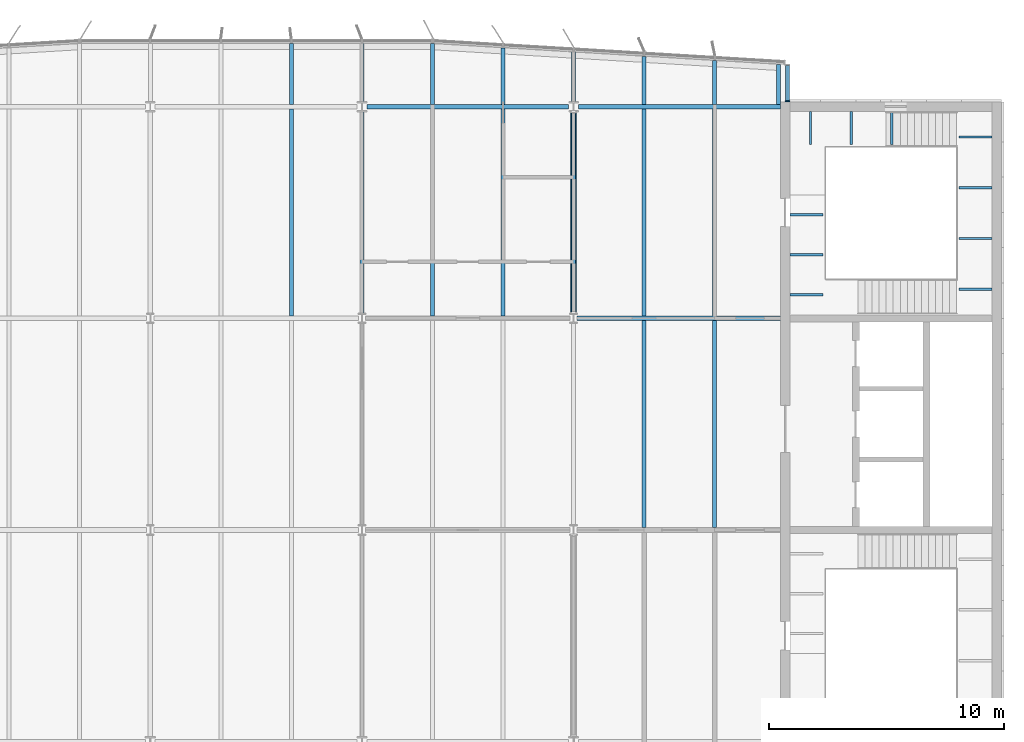
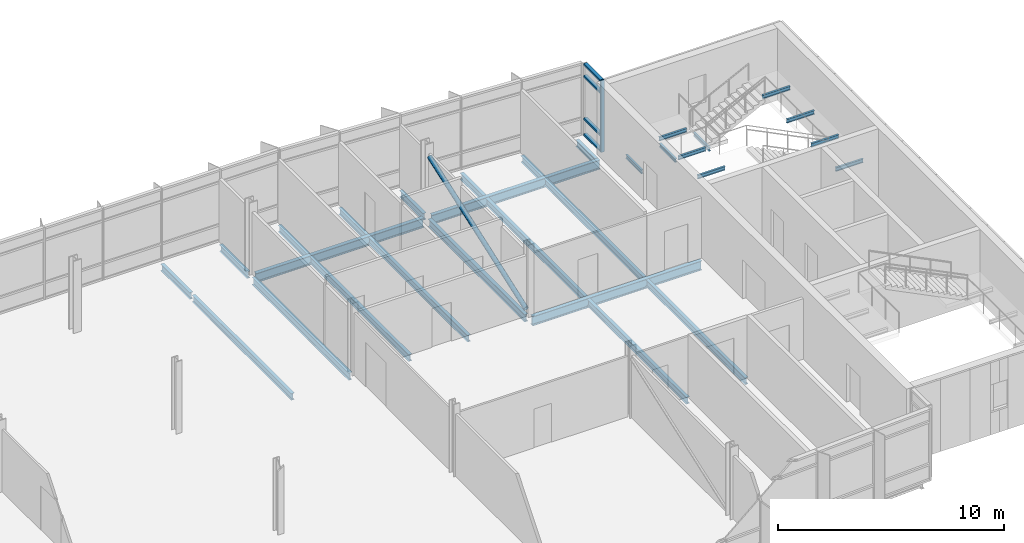
# One storey, part 7 of 18: 30 beams, 6 members, 1 element without a shape of its own.
"""IFC4 building model written with IfcOpenShell, lengths in metres."""

from ifc_helpers import new_model, si_unit, direction, frame, origin, origin_2d, place, context, subcontext, project, spatial, rectangle, hollow_circle, i_section, extrude, material, material_profile, profile_set, type_object, element, aggregate, save


model = new_model("IFC4")

# Units and contexts
model_context = context("Model", 3, precision=1e-05, world=origin(), true_north=direction((0.0, 1.0)))
body_context = subcontext(model_context, "Body", "Model", "MODEL_VIEW")
ifc_project = project(units=[si_unit("LENGTHUNIT", "METRE"), si_unit("AREAUNIT", "SQUARE_METRE"), si_unit("VOLUMEUNIT", "CUBIC_METRE"), si_unit("PLANEANGLEUNIT", "RADIAN"), si_unit("MASSUNIT", "GRAM", prefix="KILO")], contexts=[model_context])

# Site, building, storey
site_placement = place(None, origin())
site = spatial("IfcSite", under=ifc_project, at=site_placement, CompositionType="ELEMENT")
building_placement = place(site_placement, origin())
building = spatial("IfcBuilding", under=site, at=building_placement, Name="Azimuth Sports and Learning Centre", CompositionType="ELEMENT")
storey_placement = place(building_placement, frame((0.0, 0.0, 59.699951171875)))
storey = spatial("IfcBuildingStorey", under=building, at=storey_placement, Name="L13", CompositionType="ELEMENT", Elevation=59.699951171875)

# Beams
ifc_material_1 = material(Name="Steel S355", Category="steel")
ifc_material_profile_1 = material_profile(ifc_material_1, i_section(OverallWidth=0.10009765625, OverallDepth=0.199951171875, WebThickness=0.005615234375, FlangeThickness=0.008544921875, FilletRadius=0.011962890625, at=origin_2d()), Name="IPE 200")
ifc_profile_set_1 = profile_set([ifc_material_profile_1], Name="Steel S355")
beam_type_1 = type_object("IfcBeamType", Name="Beam IPE 200", PredefinedType="BEAM", material=ifc_profile_set_1)
for number, where, z_axis, x_axis, name in (
    (1, (109.0732421875, 116.800048828125, -0.300048828125), (0.0, -1.0, 0.0), (1.0, 0.0, 0.0), "Landing bracket E2 L13 663"),
    (2, (110.800048828125, 116.800048828125, -0.300048828125), (0.0, -1.0, 0.0), (1.0, 0.0, 0.0), "Landing bracket E2 L13 664"),
    (3, (112.526611328125, 116.800048828125, -0.300048828125), (0.0, -1.0, 0.0), (1.0, 0.0, 0.0), "Landing bracket E2 L13 665"),
    (4, (116.800048828125, 109.23876953125, 1.35009765625), (-1.0, 0.0, 0.0), (0.0, -1.0, 0.0), "Landing bracket E2 L13 666"),
    (5, (116.800048828125, 111.396240234375, 1.35009765625), (-1.0, 0.0, 0.0), (0.0, -1.0, 0.0), "Landing bracket E2 L13 667"),
    (6, (116.800048828125, 113.5537109375, 1.35009765625), (-1.0, 0.0, 0.0), (0.0, -1.0, 0.0), "Landing bracket E2 L13 668"),
    (7, (116.800048828125, 115.711181640625, 1.35009765625), (-1.0, 0.0, 0.0), (0.0, -1.0, 0.0), "Landing bracket E2 L13 669"),
    (8, (108.199951171875, 109.00830078125, 3.60009765625), (1.0, 0.0, 0.0), (0.0, 1.0, 0.0), "Landing bracket E2 L13 670"),
    (9, (108.199951171875, 110.705078125, 3.60009765625), (1.0, 0.0, 0.0), (0.0, 1.0, 0.0), "Landing bracket E2 L13 671"),
    (10, (108.199951171875, 112.401611328125, 3.60009765625), (1.0, 0.0, 0.0), (0.0, 1.0, 0.0), "Landing bracket E2 L13 672"),
):
    element("IfcBeam", number, at=place(storey_placement, frame(where, z_axis=z_axis, x_axis=x_axis)), inside=storey, type_object=beam_type_1, Name=name, PredefinedType="BEAM", context=body_context, shape_type="SweptSolid", body=[
        extrude(i_section(OverallWidth=0.10009765625, OverallDepth=0.199951171875, WebThickness=0.005615234375, FlangeThickness=0.008544921875, FilletRadius=0.011962890625, at=origin_2d()), origin(), (0.0, 0.0, 1.0), 1.41015625),
    ])
ifc_material_2 = material(Name="Steel S355", Category="steel")
ifc_material_profile_2 = material_profile(ifc_material_2, i_section(OverallWidth=0.179931640625, OverallDepth=0.39990234375, WebThickness=0.008544921875, FlangeThickness=0.013427734375, FilletRadius=0.02099609375, at=origin_2d()), Name="IPE 400")
ifc_profile_set_2 = profile_set([ifc_material_profile_2], Name="Steel S355")
beam_type_2 = type_object("IfcBeamType", Name="Beam IPE 400", PredefinedType="BEAM", material=ifc_profile_set_2)
for number, where, z_axis, x_axis, name in (
    (11, (90.0, 108.216064453125, -0.329833984375), (0.0, 1.0, 0.0), (-1.0, 0.0, 0.0), "Tower tie"),
    (12, (99.0, 108.216064453125, -0.329833984375), (0.0, 1.0, 0.0), (-1.0, 0.0, 0.0), "Tower tie"),
):
    element("IfcBeam", number, at=place(storey_placement, frame(where, z_axis=z_axis, x_axis=x_axis)), inside=storey, type_object=beam_type_2, Name=name, PredefinedType="BEAM", context=body_context, shape_type="SweptSolid", body=[
        extrude(i_section(OverallWidth=0.179931640625, OverallDepth=0.39990234375, WebThickness=0.008544921875, FlangeThickness=0.013427734375, FilletRadius=0.02099609375, at=origin_2d()), origin(), (0.0, 0.0, 1.0), 8.556396484375),
    ])
ifc_material_3 = material(Name="Steel S355", Category="steel")
ifc_material_profile_3 = material_profile(ifc_material_3, i_section(OverallWidth=0.199951171875, OverallDepth=0.5, WebThickness=0.01025390625, FlangeThickness=0.01611328125, FilletRadius=0.02099609375, at=origin_2d()), Name="IPE 500")
ifc_profile_set_3 = profile_set([ifc_material_profile_3], Name="Steel S355")
beam_type_3 = type_object("IfcBeamType", Name="Beam IPE 500", PredefinedType="BEAM", material=ifc_profile_set_3)
beam_1_placement = place(storey_placement, frame((99.153564453125, 108.0, -0.3798828125), z_axis=(1.0, 0.0, 0.0), x_axis=(0.0, 1.0, 0.0)))
element("IfcBeam", 13, at=beam_1_placement, inside=storey, type_object=beam_type_3, Name="Tower girder L13", PredefinedType="BEAM", context=body_context, shape_type="SweptSolid", body=[
    extrude(i_section(OverallWidth=0.199951171875, OverallDepth=0.5, WebThickness=0.01025390625, FlangeThickness=0.01611328125, FilletRadius=0.02099609375, at=origin_2d()), origin(), (0.0, 0.0, 1.0), 8.646484375),
])
beam_2_placement = place(storey_placement, frame((90.208984375, 117.0, -0.3798828125), z_axis=(1.0, 0.0, 0.0), x_axis=(0.0, 1.0, 0.0)))
element("IfcBeam", 14, at=beam_2_placement, inside=storey, type_object=beam_type_3, Name="Tower girder L13", PredefinedType="BEAM", context=body_context, shape_type="SweptSolid", body=[
    extrude(i_section(OverallWidth=0.199951171875, OverallDepth=0.5, WebThickness=0.01025390625, FlangeThickness=0.01611328125, FilletRadius=0.02099609375, at=origin_2d()), origin(), (0.0, 0.0, 1.0), 8.58203125),
])
beam_3_placement = place(storey_placement, frame((99.208984375, 117.0, -0.3798828125), z_axis=(1.0, 0.0, 0.0), x_axis=(0.0, 1.0, 0.0)))
element("IfcBeam", 15, at=beam_3_placement, inside=storey, type_object=beam_type_3, Name="Tower girder L13", PredefinedType="BEAM", context=body_context, shape_type="SweptSolid", body=[
    extrude(i_section(OverallWidth=0.199951171875, OverallDepth=0.5, WebThickness=0.01025390625, FlangeThickness=0.01611328125, FilletRadius=0.02099609375, at=origin_2d()), origin(), (0.0, 0.0, 1.0), 8.591064453125),
])

# Member
ifc_material_4 = material(Name="Steel S355", Category="steel")
ifc_material_profile_4 = material_profile(ifc_material_4, hollow_circle(Radius=0.122314453125, WallThickness=0.012451171875, at=origin_2d()), Name="CHS 244.5x12.5")
ifc_profile_set_4 = profile_set([ifc_material_profile_4], Name="Steel S355")
member_type_1 = type_object("IfcMemberType", Name="Brace CHS 244.5x12.5", PredefinedType="BRACE", material=ifc_profile_set_4)
member_1_placement = place(storey_placement, frame((99.0, 108.237060546875, 0.169677734375), z_axis=(0.0, 0.942219611657, 0.334995825957), x_axis=(-1.0, 0.0, 0.0)))
element("IfcMember", 16, at=member_1_placement, inside=storey, type_object=member_type_1, Name="Tower brace 12 L13", PredefinedType="BRACE", context=body_context, shape_type="SweptSolid", body=[
    extrude(hollow_circle(Radius=0.122314453125, WallThickness=0.012451171875, at=origin_2d()), origin(), (0.0, 0.0, 1.0), 9.047119140625),
])

# Beams
ifc_material_5 = material(Name="Steel S355", Category="steel")
ifc_material_profile_5 = material_profile(ifc_material_5, i_section(OverallWidth=0.169921875, OverallDepth=0.360107421875, WebThickness=0.008056640625, FlangeThickness=0.0126953125, FilletRadius=0.01806640625, at=origin_2d()), Name="IPE 360")
ifc_profile_set_5 = profile_set([ifc_material_profile_5], Name="Steel S355")
beam_type_4 = type_object("IfcBeamType", Name="Cantilever stub IPE 360", PredefinedType="JOIST", material=ifc_profile_set_5)
beam_4_placement = place(storey_placement, frame((87.0, 117.10009765625, -0.31005859375), z_axis=(0.0, 1.0, 0.0), x_axis=(-1.0, 0.0, 0.0)))
element("IfcBeam", 17, at=beam_4_placement, inside=storey, type_object=beam_type_4, Name="Tower cantilever stub", PredefinedType="JOIST", context=body_context, shape_type="SweptSolid", body=[
    extrude(i_section(OverallWidth=0.169921875, OverallDepth=0.360107421875, WebThickness=0.008056640625, FlangeThickness=0.0126953125, FilletRadius=0.01806640625, at=origin_2d()), origin(), (0.0, 0.0, 1.0), 2.579833984375),
])
beam_5_placement = place(storey_placement, frame((90.0, 117.2275390625, -0.31005859375), z_axis=(0.0, 1.0, 0.0), x_axis=(-1.0, 0.0, 0.0)))
element("IfcBeam", 18, at=beam_5_placement, inside=storey, type_object=beam_type_4, Name="Tower cantilever stub", PredefinedType="JOIST", context=body_context, shape_type="SweptSolid", body=[
    extrude(i_section(OverallWidth=0.169921875, OverallDepth=0.360107421875, WebThickness=0.008056640625, FlangeThickness=0.0126953125, FilletRadius=0.01806640625, at=origin_2d()), origin(), (0.0, 0.0, 1.0), 2.452392578125),
])
beam_6_placement = place(storey_placement, frame((93.0, 117.10009765625, -0.31005859375), z_axis=(0.0, 1.0, 0.0), x_axis=(-1.0, 0.0, 0.0)))
element("IfcBeam", 19, at=beam_6_placement, inside=storey, type_object=beam_type_4, Name="Tower cantilever stub", PredefinedType="JOIST", context=body_context, shape_type="SweptSolid", body=[
    extrude(i_section(OverallWidth=0.169921875, OverallDepth=0.360107421875, WebThickness=0.008056640625, FlangeThickness=0.0126953125, FilletRadius=0.01806640625, at=origin_2d()), origin(), (0.0, 0.0, 1.0), 2.579833984375),
])
beam_7_placement = place(storey_placement, frame((96.0, 117.10009765625, -0.31005859375), z_axis=(0.0, 1.0, 0.0), x_axis=(-1.0, 0.0, 0.0)))
element("IfcBeam", 20, at=beam_7_placement, inside=storey, type_object=beam_type_4, Name="Tower cantilever stub", PredefinedType="JOIST", context=body_context, shape_type="SweptSolid", body=[
    extrude(i_section(OverallWidth=0.169921875, OverallDepth=0.360107421875, WebThickness=0.008056640625, FlangeThickness=0.0126953125, FilletRadius=0.01806640625, at=origin_2d()), origin(), (0.0, 0.0, 1.0), 2.39990234375),
])
beam_8_placement = place(storey_placement, frame((99.0, 117.2275390625, -0.31005859375), z_axis=(0.0, 1.0, 0.0), x_axis=(-1.0, 0.0, 0.0)))
element("IfcBeam", 21, at=beam_8_placement, inside=storey, type_object=beam_type_4, Name="Tower cantilever stub", PredefinedType="JOIST", context=body_context, shape_type="SweptSolid", body=[
    extrude(i_section(OverallWidth=0.169921875, OverallDepth=0.360107421875, WebThickness=0.008056640625, FlangeThickness=0.0126953125, FilletRadius=0.01806640625, at=origin_2d()), origin(), (0.0, 0.0, 1.0), 2.092529296875),
])
beam_9_placement = place(storey_placement, frame((102.0, 117.10009765625, -0.31005859375), z_axis=(0.0, 1.0, 0.0), x_axis=(-1.0, 0.0, 0.0)))
element("IfcBeam", 22, at=beam_9_placement, inside=storey, type_object=beam_type_4, Name="Tower cantilever stub", PredefinedType="JOIST", context=body_context, shape_type="SweptSolid", body=[
    extrude(i_section(OverallWidth=0.169921875, OverallDepth=0.360107421875, WebThickness=0.008056640625, FlangeThickness=0.0126953125, FilletRadius=0.01806640625, at=origin_2d()), origin(), (0.0, 0.0, 1.0), 2.039794921875),
])
beam_10_placement = place(storey_placement, frame((105.0, 117.10009765625, -0.31005859375), z_axis=(0.0, 1.0, 0.0), x_axis=(-1.0, 0.0, 0.0)))
element("IfcBeam", 23, at=beam_10_placement, inside=storey, type_object=beam_type_4, Name="Tower cantilever stub", PredefinedType="JOIST", context=body_context, shape_type="SweptSolid", body=[
    extrude(i_section(OverallWidth=0.169921875, OverallDepth=0.360107421875, WebThickness=0.008056640625, FlangeThickness=0.0126953125, FilletRadius=0.01806640625, at=origin_2d()), origin(), (0.0, 0.0, 1.0), 1.85986328125),
])
beam_11_placement = place(storey_placement, frame((107.715087890625, 117.10009765625, -0.31005859375), z_axis=(0.0, 1.0, 0.0), x_axis=(-1.0, 0.0, 0.0)))
element("IfcBeam", 24, at=beam_11_placement, inside=storey, type_object=beam_type_4, Name="Tower cantilever stub", PredefinedType="JOIST", context=body_context, shape_type="SweptSolid", body=[
    extrude(i_section(OverallWidth=0.169921875, OverallDepth=0.360107421875, WebThickness=0.008056640625, FlangeThickness=0.0126953125, FilletRadius=0.01806640625, at=origin_2d()), origin(), (0.0, 0.0, 1.0), 1.697021484375),
])
ifc_material_6 = material(Name="Steel S355", Category="steel")
ifc_material_profile_6 = material_profile(ifc_material_6, i_section(OverallWidth=0.169921875, OverallDepth=0.360107421875, WebThickness=0.008056640625, FlangeThickness=0.0126953125, FilletRadius=0.01806640625, at=origin_2d()), Name="IPE 360")
ifc_profile_set_6 = profile_set([ifc_material_profile_6], Name="Steel S355")
beam_type_5 = type_object("IfcBeamType", Name="Joist IPE 360", PredefinedType="JOIST", material=ifc_profile_set_6)
for number, where, z_axis, x_axis, name in (
    (25, (87.0, 108.10009765625, -0.31005859375), (0.0, 1.0, 0.0), (-1.0, 0.0, 0.0), "Tower joist"),
    (26, (93.0, 108.10009765625, -0.31005859375), (0.0, 1.0, 0.0), (-1.0, 0.0, 0.0), "Tower joist"),
    (27, (96.0, 108.10009765625, -0.31005859375), (0.0, 1.0, 0.0), (-1.0, 0.0, 0.0), "Tower joist"),
    (28, (102.0, 99.10009765625, -0.31005859375), (0.0, 1.0, 0.0), (-1.0, 0.0, 0.0), "Tower joist"),
    (29, (102.0, 108.10009765625, -0.31005859375), (0.0, 1.0, 0.0), (-1.0, 0.0, 0.0), "Tower joist"),
    (30, (105.0, 99.10009765625, -0.31005859375), (0.0, 1.0, 0.0), (-1.0, 0.0, 0.0), "Tower joist"),
    (31, (105.0, 108.10009765625, -0.31005859375), (0.0, 1.0, 0.0), (-1.0, 0.0, 0.0), "Tower joist"),
):
    element("IfcBeam", number, at=place(storey_placement, frame(where, z_axis=z_axis, x_axis=x_axis)), inside=storey, type_object=beam_type_5, Name=name, PredefinedType="JOIST", context=body_context, shape_type="SweptSolid", body=[
        extrude(i_section(OverallWidth=0.169921875, OverallDepth=0.360107421875, WebThickness=0.008056640625, FlangeThickness=0.0126953125, FilletRadius=0.01806640625, at=origin_2d()), origin(), (0.0, 0.0, 1.0), 8.7998046875),
    ])

# Curtain wall, members
ifc_material_7 = material(Name="Aluminium and glass", Category="aluminium")
curtain_wall_type = type_object("IfcCurtainWallType", Name="Curtain wall tower return 180", PredefinedType="NOTDEFINED", material=ifc_material_7)
curtain_wall_placement = place(storey_placement, origin())
curtain_wall = element("IfcCurtainWall", 32, at=curtain_wall_placement, inside=storey, type_object=curtain_wall_type, Name="Curtain wall CW13-006", PredefinedType="NOTDEFINED")
ifc_material_8 = material(Name="Aluminium", Category="aluminium")
ifc_material_profile_7 = material_profile(ifc_material_8, rectangle(XDim=0.179931640625, YDim=0.06005859375, at=origin_2d()), Name="Mullion 60x180")
ifc_profile_set_7 = profile_set([ifc_material_profile_7], Name="Aluminium")
member_type_2 = type_object("IfcMemberType", Name="Mullion 60x180", PredefinedType="MULLION", material=ifc_profile_set_7)
member_2_placement = place(storey_placement, frame((108.090087890625, 117.22998046875, 0.0), z_axis=(0.0, 0.0, 1.0), x_axis=(-1.0, 0.0, 0.0)))
member_2 = element("IfcMember", 33, at=member_2_placement, type_object=member_type_2, Name="CW13-006 mullion 1", PredefinedType="MULLION", context=body_context, shape_type="SweptSolid", body=[
    extrude(rectangle(XDim=0.179931640625, YDim=0.06005859375, at=origin_2d()), origin(), (0.0, 0.0, 1.0), 3.900146484375),
])
ifc_material_9 = material(Name="Aluminium", Category="aluminium")
ifc_material_profile_8 = material_profile(ifc_material_9, rectangle(XDim=0.179931640625, YDim=0.10009765625, at=origin_2d()), Name="Transom 100x180")
ifc_profile_set_8 = profile_set([ifc_material_profile_8], Name="Aluminium")
member_type_3 = type_object("IfcMemberType", Name="Transom 100x180", PredefinedType="USERDEFINED", material=ifc_profile_set_8)
member_3_placement = place(storey_placement, frame((108.090087890625, 117.260009765625, 0.050048828125), z_axis=(0.0, 1.0, 0.0), x_axis=(-1.0, 0.0, 0.0)))
member_3 = element("IfcMember", 34, at=member_3_placement, type_object=member_type_3, Name="CW13-006 transom 1.1", ObjectType="TRANSOM", PredefinedType="USERDEFINED", context=body_context, shape_type="SweptSolid", body=[
    extrude(rectangle(XDim=0.179931640625, YDim=0.10009765625, at=origin_2d()), origin(), (0.0, 0.0, 1.0), 1.47998046875),
])
member_4_placement = place(storey_placement, frame((108.090087890625, 117.260009765625, 0.900146484375), z_axis=(0.0, 1.0, 0.0), x_axis=(-1.0, 0.0, 0.0)))
member_4 = element("IfcMember", 35, at=member_4_placement, type_object=member_type_3, Name="CW13-006 transom 1.2", ObjectType="TRANSOM", PredefinedType="USERDEFINED", context=body_context, shape_type="SweptSolid", body=[
    extrude(rectangle(XDim=0.179931640625, YDim=0.10009765625, at=origin_2d()), origin(), (0.0, 0.0, 1.0), 1.47998046875),
])
member_5_placement = place(storey_placement, frame((108.090087890625, 117.260009765625, 3.199951171875), z_axis=(0.0, 1.0, 0.0), x_axis=(-1.0, 0.0, 0.0)))
member_5 = element("IfcMember", 36, at=member_5_placement, type_object=member_type_3, Name="CW13-006 transom 1.3", ObjectType="TRANSOM", PredefinedType="USERDEFINED", context=body_context, shape_type="SweptSolid", body=[
    extrude(rectangle(XDim=0.179931640625, YDim=0.10009765625, at=origin_2d()), origin(), (0.0, 0.0, 1.0), 1.47998046875),
])
member_6_placement = place(storey_placement, frame((108.090087890625, 117.260009765625, 3.85009765625), z_axis=(0.0, 1.0, 0.0), x_axis=(-1.0, 0.0, 0.0)))
member_6 = element("IfcMember", 37, at=member_6_placement, type_object=member_type_3, Name="CW13-006 transom 1.4", ObjectType="TRANSOM", PredefinedType="USERDEFINED", context=body_context, shape_type="SweptSolid", body=[
    extrude(rectangle(XDim=0.179931640625, YDim=0.10009765625, at=origin_2d()), origin(), (0.0, 0.0, 1.0), 1.47998046875),
])
aggregate(curtain_wall, [member_2, member_3, member_4, member_5, member_6])

save(model, "model.ifc")
